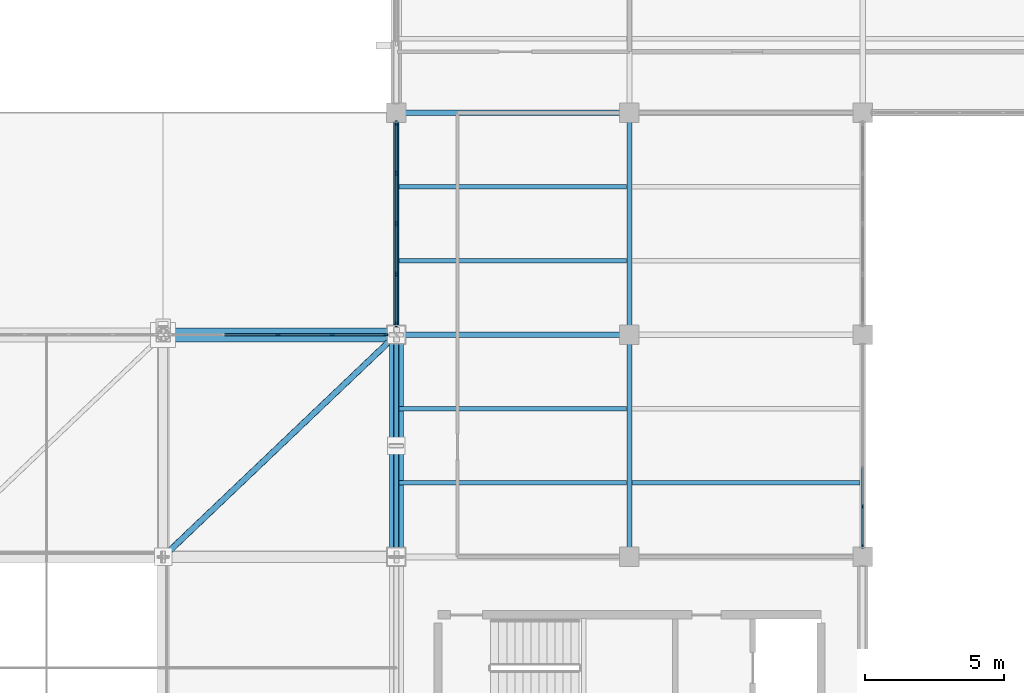
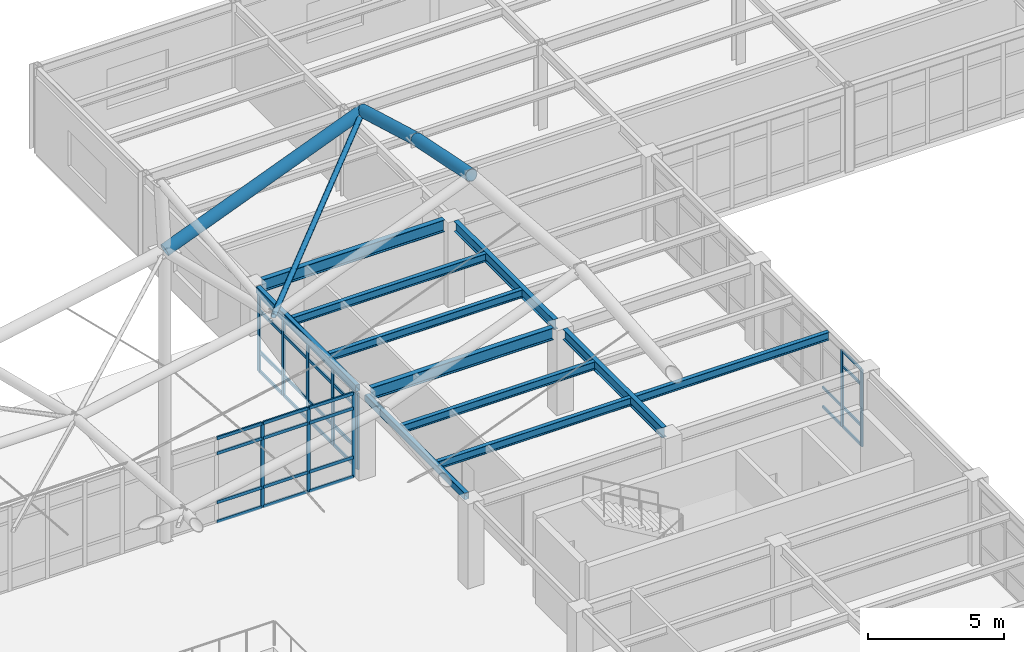
# One storey, part 47 of 138: 45 members, 14 beams, 3 elements without a shape of their own.
"""IFC4 building model written with IfcOpenShell, lengths in metres."""

from ifc_helpers import new_model, si_unit, direction, frame, origin, origin_2d, place, context, subcontext, project, spatial, rectangle, hollow_rectangle, hollow_circle, i_section, extrude, material, layer, layer_set, material_profile, profile_set, type_object, element, aggregate, save


model = new_model("IFC4")

# Units and contexts
model_context = context("Model", 3, precision=1e-05, world=origin(), true_north=direction((0.0, 1.0)))
body_context = subcontext(model_context, "Body", "Model", "MODEL_VIEW")
ifc_project = project(units=[si_unit("LENGTHUNIT", "METRE"), si_unit("AREAUNIT", "SQUARE_METRE"), si_unit("VOLUMEUNIT", "CUBIC_METRE"), si_unit("PLANEANGLEUNIT", "RADIAN"), si_unit("MASSUNIT", "GRAM", prefix="KILO")], contexts=[model_context])

# Site, building, storey
site_placement = place(None, origin())
site = spatial("IfcSite", under=ifc_project, at=site_placement, CompositionType="ELEMENT")
building_placement = place(site_placement, origin())
building = spatial("IfcBuilding", under=site, at=building_placement, Name="Kranzveld Transit Interchange", CompositionType="ELEMENT")
storey_placement = place(building_placement, frame((0.0, 0.0, 5.43994140625)))
storey = spatial("IfcBuildingStorey", under=building, at=storey_placement, Name="L01", CompositionType="ELEMENT", Elevation=5.43994140625)

# Beams
ifc_material_1 = material(Name="Steel S355JR", Category="steel")
ifc_material_profile_1 = material_profile(ifc_material_1, i_section(OverallWidth=0.19189453125, OverallDepth=0.46337890625, WebThickness=0.010498046875, FlangeThickness=0.017578125, FilletRadius=0.01025390625, at=origin_2d()), Name="UB 457x191x89")
ifc_profile_set_1 = profile_set([ifc_material_profile_1], Name="Steel S355JR")
beam_type_1 = type_object("IfcBeamType", Name="Beam Steel UB 457x191x89 S355JR", PredefinedType="BEAM", material=ifc_profile_set_1)
for number, where, z_axis, x_axis, name in (
    (1, (109.199951171875, 80.340087890625, 3.568359375), (0.0, 1.0, 0.0), (-1.0, 0.0, 0.0), "L01 Girder 14/L-M"),
    (2, (109.199951171875, 88.340087890625, 3.568359375), (0.0, 1.0, 0.0), (-1.0, 0.0, 0.0), "L01 Girder 14/M-N"),
):
    element("IfcBeam", number, at=place(storey_placement, frame(where, z_axis=z_axis, x_axis=x_axis)), inside=storey, type_object=beam_type_1, Name=name, PredefinedType="BEAM", context=body_context, shape_type="SweptSolid", body=[
        extrude(i_section(OverallWidth=0.19189453125, OverallDepth=0.46337890625, WebThickness=0.010498046875, FlangeThickness=0.017578125, FilletRadius=0.01025390625, at=origin_2d()), origin(), (0.0, 0.0, 1.0), 7.31982421875),
    ])

# Curtain wall, members
ifc_material_2 = material(Name="Bronze-anodised thermally broken aluminium", Category="aluminium")
ifc_layer_1 = layer(ifc_material_2, 0.159912109375)
ifc_layer_set_1 = layer_set([ifc_layer_1], Name="Bronze-anodised thermally broken aluminium")
curtain_wall_type_1 = type_object("IfcCurtainWallType", Name="Bus Boarding Glazed Screen CW-3", PredefinedType="USERDEFINED", material=ifc_layer_set_1)
curtain_wall_1_placement = place(storey_placement, origin())
curtain_wall_1 = element("IfcCurtainWall", 3, at=curtain_wall_1_placement, inside=storey, type_object=curtain_wall_type_1, Name="L01 Curtain Wall 12/M-13/M", ObjectType="CURTAIN WALL", PredefinedType="USERDEFINED")
ifc_material_3 = material(Name="Bronze-anodised thermally broken aluminium", Category="aluminium")
ifc_material_profile_2 = material_profile(ifc_material_3, rectangle(XDim=0.06005859375, YDim=0.14990234375, at=origin_2d()), Name="ALU MULLION 60x150")
ifc_profile_set_2 = profile_set([ifc_material_profile_2], Name="Bronze-anodised thermally broken aluminium")
member_type_1 = type_object("IfcMemberType", Name="Curtain Wall Mullion 60x150 Alu", PredefinedType="MULLION", material=ifc_profile_set_2)
member_1_placement = place(storey_placement, frame((96.539306640625, 88.0, 0.0), z_axis=(0.0, 0.0, 1.0), x_axis=(0.0, 1.0, 0.0)))
member_1 = element("IfcMember", 4, at=member_1_placement, type_object=member_type_1, Name="CW-3 mullion 3", PredefinedType="MULLION", context=body_context, shape_type="SweptSolid", body=[
    extrude(rectangle(XDim=0.06005859375, YDim=0.14990234375, at=origin_2d()), origin(), (0.0, 0.0, 1.0), 3.800048828125),
])
member_2_placement = place(storey_placement, frame((98.49462890625, 88.0, 0.0), z_axis=(0.0, 0.0, 1.0), x_axis=(0.0, 1.0, 0.0)))
member_2 = element("IfcMember", 5, at=member_2_placement, type_object=member_type_1, Name="CW-3 mullion 4", PredefinedType="MULLION", context=body_context, shape_type="SweptSolid", body=[
    extrude(rectangle(XDim=0.06005859375, YDim=0.14990234375, at=origin_2d()), origin(), (0.0, 0.0, 1.0), 3.800048828125),
])
member_3_placement = place(storey_placement, frame((100.419921875, 88.0, 0.0), z_axis=(0.0, 0.0, 1.0), x_axis=(0.0, 1.0, 0.0)))
member_3 = element("IfcMember", 6, at=member_3_placement, type_object=member_type_1, Name="CW-3 mullion 5", PredefinedType="MULLION", context=body_context, shape_type="SweptSolid", body=[
    extrude(rectangle(XDim=0.06005859375, YDim=0.14990234375, at=origin_2d()), origin(), (0.0, 0.0, 1.0), 3.800048828125),
])

ifc_material_4 = material(Name="Bronze-anodised thermally broken aluminium", Category="aluminium")
ifc_layer_2 = layer(ifc_material_4, 0.14990234375)
ifc_layer_set_2 = layer_set([ifc_layer_2], Name="Bronze-anodised thermally broken aluminium")
curtain_wall_type_2 = type_object("IfcCurtainWallType", Name="Public Passage Clerestory Screen CW-4", PredefinedType="USERDEFINED", material=ifc_layer_set_2)
curtain_wall_2_placement = place(storey_placement, origin())
curtain_wall_2 = element("IfcCurtainWall", 7, at=curtain_wall_2_placement, inside=storey, type_object=curtain_wall_type_2, Name="L01 Curtain Wall 15/L-15/M", ObjectType="CURTAIN WALL", PredefinedType="USERDEFINED")
member_4_placement = place(storey_placement, frame((117.60009765625, 80.3798828125, 0.0), z_axis=(0.0, 0.0, 1.0), x_axis=(-1.0, 0.0, 0.0)))
member_4 = element("IfcMember", 8, at=member_4_placement, type_object=member_type_1, Name="CW-4 mullion 1", PredefinedType="MULLION", context=body_context, shape_type="SweptSolid", body=[
    extrude(rectangle(XDim=0.06005859375, YDim=0.14990234375, at=origin_2d()), origin(), (0.0, 0.0, 1.0), 3.442138671875),
])
member_5_placement = place(storey_placement, frame((117.60009765625, 81.81005859375, 0.0), z_axis=(0.0, 0.0, 1.0), x_axis=(-1.0, 0.0, 0.0)))
member_5 = element("IfcMember", 9, at=member_5_placement, type_object=member_type_1, Name="CW-4 mullion 2", PredefinedType="MULLION", context=body_context, shape_type="SweptSolid", body=[
    extrude(rectangle(XDim=0.06005859375, YDim=0.14990234375, at=origin_2d()), origin(), (0.0, 0.0, 1.0), 3.442138671875),
])

ifc_material_5 = material(Name="Bronze-anodised thermally broken aluminium", Category="aluminium")
ifc_layer_3 = layer(ifc_material_5, 0.179931640625)
ifc_layer_set_3 = layer_set([ifc_layer_3], Name="Bronze-anodised thermally broken aluminium")
curtain_wall_type_3 = type_object("IfcCurtainWallType", Name="Concourse Unitised Curtain Wall CW-1", PredefinedType="USERDEFINED", material=ifc_layer_set_3)
curtain_wall_3_placement = place(storey_placement, origin())
curtain_wall_3 = element("IfcCurtainWall", 10, at=curtain_wall_3_placement, inside=storey, type_object=curtain_wall_type_3, Name="L01 Curtain Wall 13/M-13/N", ObjectType="CURTAIN WALL", PredefinedType="USERDEFINED")
ifc_material_6 = material(Name="Bronze-anodised thermally broken aluminium", Category="aluminium")
ifc_material_profile_3 = material_profile(ifc_material_6, rectangle(XDim=0.06494140625, YDim=0.179931640625, at=origin_2d()), Name="ALU MULLION 65x180")
ifc_profile_set_3 = profile_set([ifc_material_profile_3], Name="Bronze-anodised thermally broken aluminium")
member_type_2 = type_object("IfcMemberType", Name="Curtain Wall Mullion 65x180 Alu", PredefinedType="MULLION", material=ifc_profile_set_3)
member_6_placement = place(storey_placement, frame((100.800048828125, 88.382568359375, 0.0), z_axis=(0.0, 0.0, 1.0), x_axis=(-1.0, 0.0, 0.0)))
member_6 = element("IfcMember", 11, at=member_6_placement, type_object=member_type_2, Name="CW-1 mullion 1", PredefinedType="MULLION", context=body_context, shape_type="SweptSolid", body=[
    extrude(rectangle(XDim=0.06494140625, YDim=0.179931640625, at=origin_2d()), origin(), (0.0, 0.0, 1.0), 3.442138671875),
])
member_7_placement = place(storey_placement, frame((100.800048828125, 90.175048828125, 0.0), z_axis=(0.0, 0.0, 1.0), x_axis=(-1.0, 0.0, 0.0)))
member_7 = element("IfcMember", 12, at=member_7_placement, type_object=member_type_2, Name="CW-1 mullion 2", PredefinedType="MULLION", context=body_context, shape_type="SweptSolid", body=[
    extrude(rectangle(XDim=0.06494140625, YDim=0.179931640625, at=origin_2d()), origin(), (0.0, 0.0, 1.0), 3.442138671875),
])
member_8_placement = place(storey_placement, frame((100.800048828125, 92.0, 0.0), z_axis=(0.0, 0.0, 1.0), x_axis=(-1.0, 0.0, 0.0)))
member_8 = element("IfcMember", 13, at=member_8_placement, type_object=member_type_2, Name="CW-1 mullion 3", PredefinedType="MULLION", context=body_context, shape_type="SweptSolid", body=[
    extrude(rectangle(XDim=0.06494140625, YDim=0.179931640625, at=origin_2d()), origin(), (0.0, 0.0, 1.0), 3.442138671875),
])
member_9_placement = place(storey_placement, frame((100.800048828125, 93.824951171875, 0.0), z_axis=(0.0, 0.0, 1.0), x_axis=(-1.0, 0.0, 0.0)))
member_9 = element("IfcMember", 14, at=member_9_placement, type_object=member_type_2, Name="CW-1 mullion 4", PredefinedType="MULLION", context=body_context, shape_type="SweptSolid", body=[
    extrude(rectangle(XDim=0.06494140625, YDim=0.179931640625, at=origin_2d()), origin(), (0.0, 0.0, 1.0), 3.442138671875),
])
member_10_placement = place(storey_placement, frame((100.800048828125, 95.617431640625, 0.0), z_axis=(0.0, 0.0, 1.0), x_axis=(-1.0, 0.0, 0.0)))
member_10 = element("IfcMember", 15, at=member_10_placement, type_object=member_type_2, Name="CW-1 mullion 5", PredefinedType="MULLION", context=body_context, shape_type="SweptSolid", body=[
    extrude(rectangle(XDim=0.06494140625, YDim=0.179931640625, at=origin_2d()), origin(), (0.0, 0.0, 1.0), 3.442138671875),
])

# Member
ifc_material_7 = material(Name="Bronze-anodised thermally broken aluminium", Category="aluminium")
ifc_material_profile_4 = material_profile(ifc_material_7, rectangle(XDim=0.06005859375, YDim=0.110107421875, at=origin_2d()), Name="ALU TRANSOM 60x110")
ifc_profile_set_4 = profile_set([ifc_material_profile_4], Name="Bronze-anodised thermally broken aluminium")
member_type_3 = type_object("IfcMemberType", Name="Curtain Wall Transom 60x110 Alu", PredefinedType="USERDEFINED", material=ifc_profile_set_4)
member_11_placement = place(storey_placement, frame((117.60009765625, 80.409912109375, 0.030029296875), z_axis=(0.0, 1.0, 0.0), x_axis=(-1.0, 0.0, 0.0)))
member_11 = element("IfcMember", 16, at=member_11_placement, type_object=member_type_3, Name="CW-4 transom 1.1", ObjectType="TRANSOM", PredefinedType="USERDEFINED", context=body_context, shape_type="SweptSolid", body=[
    extrude(rectangle(XDim=0.06005859375, YDim=0.110107421875, at=origin_2d()), origin(), (0.0, 0.0, 1.0), 1.3701171875),
])

member_12_placement = place(storey_placement, frame((117.60009765625, 80.409912109375, 0.900146484375), z_axis=(0.0, 1.0, 0.0), x_axis=(-1.0, 0.0, 0.0)))
member_12 = element("IfcMember", 17, at=member_12_placement, type_object=member_type_3, Name="CW-4 transom 1.2", ObjectType="TRANSOM", PredefinedType="USERDEFINED", context=body_context, shape_type="SweptSolid", body=[
    extrude(rectangle(XDim=0.06005859375, YDim=0.110107421875, at=origin_2d()), origin(), (0.0, 0.0, 1.0), 1.3701171875),
])

member_13_placement = place(storey_placement, frame((117.60009765625, 80.409912109375, 2.741943359375), z_axis=(0.0, 1.0, 0.0), x_axis=(-1.0, 0.0, 0.0)))
member_13 = element("IfcMember", 18, at=member_13_placement, type_object=member_type_3, Name="CW-4 transom 1.3", ObjectType="TRANSOM", PredefinedType="USERDEFINED", context=body_context, shape_type="SweptSolid", body=[
    extrude(rectangle(XDim=0.06005859375, YDim=0.110107421875, at=origin_2d()), origin(), (0.0, 0.0, 1.0), 1.3701171875),
])

member_14_placement = place(storey_placement, frame((117.60009765625, 80.409912109375, 3.412109375), z_axis=(0.0, 1.0, 0.0), x_axis=(-1.0, 0.0, 0.0)))
member_14 = element("IfcMember", 19, at=member_14_placement, type_object=member_type_3, Name="CW-4 transom 1.4", ObjectType="TRANSOM", PredefinedType="USERDEFINED", context=body_context, shape_type="SweptSolid", body=[
    extrude(rectangle(XDim=0.06005859375, YDim=0.110107421875, at=origin_2d()), origin(), (0.0, 0.0, 1.0), 1.3701171875),
])

member_15_placement = place(storey_placement, frame((117.60009765625, 81.840087890625, 0.030029296875), z_axis=(0.0, 1.0, 0.0), x_axis=(-1.0, 0.0, 0.0)))
member_15 = element("IfcMember", 20, at=member_15_placement, type_object=member_type_3, Name="CW-4 transom 2.1", ObjectType="TRANSOM", PredefinedType="USERDEFINED", context=body_context, shape_type="SweptSolid", body=[
    extrude(rectangle(XDim=0.06005859375, YDim=0.110107421875, at=origin_2d()), origin(), (0.0, 0.0, 1.0), 1.39990234375),
])

member_16_placement = place(storey_placement, frame((117.60009765625, 81.840087890625, 0.900146484375), z_axis=(0.0, 1.0, 0.0), x_axis=(-1.0, 0.0, 0.0)))
member_16 = element("IfcMember", 21, at=member_16_placement, type_object=member_type_3, Name="CW-4 transom 2.2", ObjectType="TRANSOM", PredefinedType="USERDEFINED", context=body_context, shape_type="SweptSolid", body=[
    extrude(rectangle(XDim=0.06005859375, YDim=0.110107421875, at=origin_2d()), origin(), (0.0, 0.0, 1.0), 1.39990234375),
])

aggregate(curtain_wall_2, [member_4, member_5, member_11, member_12, member_13, member_14, member_15, member_16])

ifc_material_8 = material(Name="Bronze-anodised thermally broken aluminium", Category="aluminium")
ifc_material_profile_5 = material_profile(ifc_material_8, rectangle(XDim=0.06494140625, YDim=0.139892578125, at=origin_2d()), Name="ALU TRANSOM 65x140")
ifc_profile_set_5 = profile_set([ifc_material_profile_5], Name="Bronze-anodised thermally broken aluminium")
member_type_4 = type_object("IfcMemberType", Name="Curtain Wall Transom 65x140 Alu", PredefinedType="USERDEFINED", material=ifc_profile_set_5)
member_17_placement = place(storey_placement, frame((94.61376953125, 88.0, 0.032470703125), z_axis=(1.0, 0.0, 0.0), x_axis=(0.0, 1.0, 0.0)))
member_17 = element("IfcMember", 22, at=member_17_placement, type_object=member_type_4, Name="CW-3 transom 2.1", ObjectType="TRANSOM", PredefinedType="USERDEFINED", context=body_context, shape_type="SweptSolid", body=[
    extrude(rectangle(XDim=0.06494140625, YDim=0.139892578125, at=origin_2d()), origin(), (0.0, 0.0, 1.0), 1.8955078125),
])

member_18_placement = place(storey_placement, frame((94.61376953125, 88.0, 0.900146484375), z_axis=(1.0, 0.0, 0.0), x_axis=(0.0, 1.0, 0.0)))
member_18 = element("IfcMember", 23, at=member_18_placement, type_object=member_type_4, Name="CW-3 transom 2.2", ObjectType="TRANSOM", PredefinedType="USERDEFINED", context=body_context, shape_type="SweptSolid", body=[
    extrude(rectangle(XDim=0.06494140625, YDim=0.139892578125, at=origin_2d()), origin(), (0.0, 0.0, 1.0), 1.8955078125),
])

member_19_placement = place(storey_placement, frame((94.61376953125, 88.0, 3.10009765625), z_axis=(1.0, 0.0, 0.0), x_axis=(0.0, 1.0, 0.0)))
member_19 = element("IfcMember", 24, at=member_19_placement, type_object=member_type_4, Name="CW-3 transom 2.3", ObjectType="TRANSOM", PredefinedType="USERDEFINED", context=body_context, shape_type="SweptSolid", body=[
    extrude(rectangle(XDim=0.06494140625, YDim=0.139892578125, at=origin_2d()), origin(), (0.0, 0.0, 1.0), 1.8955078125),
])

member_20_placement = place(storey_placement, frame((94.61376953125, 88.0, 3.767578125), z_axis=(1.0, 0.0, 0.0), x_axis=(0.0, 1.0, 0.0)))
member_20 = element("IfcMember", 25, at=member_20_placement, type_object=member_type_4, Name="CW-3 transom 2.4", ObjectType="TRANSOM", PredefinedType="USERDEFINED", context=body_context, shape_type="SweptSolid", body=[
    extrude(rectangle(XDim=0.06494140625, YDim=0.139892578125, at=origin_2d()), origin(), (0.0, 0.0, 1.0), 1.8955078125),
])

member_21_placement = place(storey_placement, frame((96.5693359375, 88.0, 0.032470703125), z_axis=(1.0, 0.0, 0.0), x_axis=(0.0, 1.0, 0.0)))
member_21 = element("IfcMember", 26, at=member_21_placement, type_object=member_type_4, Name="CW-3 transom 3.1", ObjectType="TRANSOM", PredefinedType="USERDEFINED", context=body_context, shape_type="SweptSolid", body=[
    extrude(rectangle(XDim=0.06494140625, YDim=0.139892578125, at=origin_2d()), origin(), (0.0, 0.0, 1.0), 1.895263671875),
])

member_22_placement = place(storey_placement, frame((96.5693359375, 88.0, 0.900146484375), z_axis=(1.0, 0.0, 0.0), x_axis=(0.0, 1.0, 0.0)))
member_22 = element("IfcMember", 27, at=member_22_placement, type_object=member_type_4, Name="CW-3 transom 3.2", ObjectType="TRANSOM", PredefinedType="USERDEFINED", context=body_context, shape_type="SweptSolid", body=[
    extrude(rectangle(XDim=0.06494140625, YDim=0.139892578125, at=origin_2d()), origin(), (0.0, 0.0, 1.0), 1.895263671875),
])

member_23_placement = place(storey_placement, frame((96.5693359375, 88.0, 3.10009765625), z_axis=(1.0, 0.0, 0.0), x_axis=(0.0, 1.0, 0.0)))
member_23 = element("IfcMember", 28, at=member_23_placement, type_object=member_type_4, Name="CW-3 transom 3.3", ObjectType="TRANSOM", PredefinedType="USERDEFINED", context=body_context, shape_type="SweptSolid", body=[
    extrude(rectangle(XDim=0.06494140625, YDim=0.139892578125, at=origin_2d()), origin(), (0.0, 0.0, 1.0), 1.895263671875),
])

member_24_placement = place(storey_placement, frame((96.5693359375, 88.0, 3.767578125), z_axis=(1.0, 0.0, 0.0), x_axis=(0.0, 1.0, 0.0)))
member_24 = element("IfcMember", 29, at=member_24_placement, type_object=member_type_4, Name="CW-3 transom 3.4", ObjectType="TRANSOM", PredefinedType="USERDEFINED", context=body_context, shape_type="SweptSolid", body=[
    extrude(rectangle(XDim=0.06494140625, YDim=0.139892578125, at=origin_2d()), origin(), (0.0, 0.0, 1.0), 1.895263671875),
])

member_25_placement = place(storey_placement, frame((98.524658203125, 88.0, 0.032470703125), z_axis=(1.0, 0.0, 0.0), x_axis=(0.0, 1.0, 0.0)))
member_25 = element("IfcMember", 30, at=member_25_placement, type_object=member_type_4, Name="CW-3 transom 4.1", ObjectType="TRANSOM", PredefinedType="USERDEFINED", context=body_context, shape_type="SweptSolid", body=[
    extrude(rectangle(XDim=0.06494140625, YDim=0.139892578125, at=origin_2d()), origin(), (0.0, 0.0, 1.0), 1.865234375),
])

member_26_placement = place(storey_placement, frame((98.524658203125, 88.0, 0.900146484375), z_axis=(1.0, 0.0, 0.0), x_axis=(0.0, 1.0, 0.0)))
member_26 = element("IfcMember", 31, at=member_26_placement, type_object=member_type_4, Name="CW-3 transom 4.2", ObjectType="TRANSOM", PredefinedType="USERDEFINED", context=body_context, shape_type="SweptSolid", body=[
    extrude(rectangle(XDim=0.06494140625, YDim=0.139892578125, at=origin_2d()), origin(), (0.0, 0.0, 1.0), 1.865234375),
])

member_27_placement = place(storey_placement, frame((98.524658203125, 88.0, 3.10009765625), z_axis=(1.0, 0.0, 0.0), x_axis=(0.0, 1.0, 0.0)))
member_27 = element("IfcMember", 32, at=member_27_placement, type_object=member_type_4, Name="CW-3 transom 4.3", ObjectType="TRANSOM", PredefinedType="USERDEFINED", context=body_context, shape_type="SweptSolid", body=[
    extrude(rectangle(XDim=0.06494140625, YDim=0.139892578125, at=origin_2d()), origin(), (0.0, 0.0, 1.0), 1.865234375),
])

member_28_placement = place(storey_placement, frame((98.524658203125, 88.0, 3.767578125), z_axis=(1.0, 0.0, 0.0), x_axis=(0.0, 1.0, 0.0)))
member_28 = element("IfcMember", 33, at=member_28_placement, type_object=member_type_4, Name="CW-3 transom 4.4", ObjectType="TRANSOM", PredefinedType="USERDEFINED", context=body_context, shape_type="SweptSolid", body=[
    extrude(rectangle(XDim=0.06494140625, YDim=0.139892578125, at=origin_2d()), origin(), (0.0, 0.0, 1.0), 1.865234375),
])

aggregate(curtain_wall_1, [member_1, member_2, member_3, member_17, member_18, member_19, member_20, member_21, member_22, member_23, member_24, member_25, member_26, member_27, member_28])

member_29_placement = place(storey_placement, frame((100.800048828125, 88.4150390625, 0.032470703125), z_axis=(0.0, 1.0, 0.0), x_axis=(-1.0, 0.0, 0.0)))
member_29 = element("IfcMember", 34, at=member_29_placement, type_object=member_type_4, Name="CW-1 transom 1.1", ObjectType="TRANSOM", PredefinedType="USERDEFINED", context=body_context, shape_type="SweptSolid", body=[
    extrude(rectangle(XDim=0.06494140625, YDim=0.139892578125, at=origin_2d()), origin(), (0.0, 0.0, 1.0), 1.7275390625),
])

member_30_placement = place(storey_placement, frame((100.800048828125, 88.4150390625, 0.900146484375), z_axis=(0.0, 1.0, 0.0), x_axis=(-1.0, 0.0, 0.0)))
member_30 = element("IfcMember", 35, at=member_30_placement, type_object=member_type_4, Name="CW-1 transom 1.2", ObjectType="TRANSOM", PredefinedType="USERDEFINED", context=body_context, shape_type="SweptSolid", body=[
    extrude(rectangle(XDim=0.06494140625, YDim=0.139892578125, at=origin_2d()), origin(), (0.0, 0.0, 1.0), 1.7275390625),
])

member_31_placement = place(storey_placement, frame((100.800048828125, 88.4150390625, 2.741943359375), z_axis=(0.0, 1.0, 0.0), x_axis=(-1.0, 0.0, 0.0)))
member_31 = element("IfcMember", 36, at=member_31_placement, type_object=member_type_4, Name="CW-1 transom 1.3", ObjectType="TRANSOM", PredefinedType="USERDEFINED", context=body_context, shape_type="SweptSolid", body=[
    extrude(rectangle(XDim=0.06494140625, YDim=0.139892578125, at=origin_2d()), origin(), (0.0, 0.0, 1.0), 1.7275390625),
])

member_32_placement = place(storey_placement, frame((100.800048828125, 88.4150390625, 3.40966796875), z_axis=(0.0, 1.0, 0.0), x_axis=(-1.0, 0.0, 0.0)))
member_32 = element("IfcMember", 37, at=member_32_placement, type_object=member_type_4, Name="CW-1 transom 1.4", ObjectType="TRANSOM", PredefinedType="USERDEFINED", context=body_context, shape_type="SweptSolid", body=[
    extrude(rectangle(XDim=0.06494140625, YDim=0.139892578125, at=origin_2d()), origin(), (0.0, 0.0, 1.0), 1.7275390625),
])

member_33_placement = place(storey_placement, frame((100.800048828125, 90.20751953125, 0.032470703125), z_axis=(0.0, 1.0, 0.0), x_axis=(-1.0, 0.0, 0.0)))
member_33 = element("IfcMember", 38, at=member_33_placement, type_object=member_type_4, Name="CW-1 transom 2.1", ObjectType="TRANSOM", PredefinedType="USERDEFINED", context=body_context, shape_type="SweptSolid", body=[
    extrude(rectangle(XDim=0.06494140625, YDim=0.139892578125, at=origin_2d()), origin(), (0.0, 0.0, 1.0), 1.760009765625),
])

member_34_placement = place(storey_placement, frame((100.800048828125, 90.20751953125, 0.900146484375), z_axis=(0.0, 1.0, 0.0), x_axis=(-1.0, 0.0, 0.0)))
member_34 = element("IfcMember", 39, at=member_34_placement, type_object=member_type_4, Name="CW-1 transom 2.2", ObjectType="TRANSOM", PredefinedType="USERDEFINED", context=body_context, shape_type="SweptSolid", body=[
    extrude(rectangle(XDim=0.06494140625, YDim=0.139892578125, at=origin_2d()), origin(), (0.0, 0.0, 1.0), 1.760009765625),
])

member_35_placement = place(storey_placement, frame((100.800048828125, 90.20751953125, 2.741943359375), z_axis=(0.0, 1.0, 0.0), x_axis=(-1.0, 0.0, 0.0)))
member_35 = element("IfcMember", 40, at=member_35_placement, type_object=member_type_4, Name="CW-1 transom 2.3", ObjectType="TRANSOM", PredefinedType="USERDEFINED", context=body_context, shape_type="SweptSolid", body=[
    extrude(rectangle(XDim=0.06494140625, YDim=0.139892578125, at=origin_2d()), origin(), (0.0, 0.0, 1.0), 1.760009765625),
])

member_36_placement = place(storey_placement, frame((100.800048828125, 90.20751953125, 3.40966796875), z_axis=(0.0, 1.0, 0.0), x_axis=(-1.0, 0.0, 0.0)))
member_36 = element("IfcMember", 41, at=member_36_placement, type_object=member_type_4, Name="CW-1 transom 2.4", ObjectType="TRANSOM", PredefinedType="USERDEFINED", context=body_context, shape_type="SweptSolid", body=[
    extrude(rectangle(XDim=0.06494140625, YDim=0.139892578125, at=origin_2d()), origin(), (0.0, 0.0, 1.0), 1.760009765625),
])

member_37_placement = place(storey_placement, frame((100.800048828125, 92.032470703125, 0.032470703125), z_axis=(0.0, 1.0, 0.0), x_axis=(-1.0, 0.0, 0.0)))
member_37 = element("IfcMember", 42, at=member_37_placement, type_object=member_type_4, Name="CW-1 transom 3.1", ObjectType="TRANSOM", PredefinedType="USERDEFINED", context=body_context, shape_type="SweptSolid", body=[
    extrude(rectangle(XDim=0.06494140625, YDim=0.139892578125, at=origin_2d()), origin(), (0.0, 0.0, 1.0), 1.760009765625),
])

member_38_placement = place(storey_placement, frame((100.800048828125, 92.032470703125, 0.900146484375), z_axis=(0.0, 1.0, 0.0), x_axis=(-1.0, 0.0, 0.0)))
member_38 = element("IfcMember", 43, at=member_38_placement, type_object=member_type_4, Name="CW-1 transom 3.2", ObjectType="TRANSOM", PredefinedType="USERDEFINED", context=body_context, shape_type="SweptSolid", body=[
    extrude(rectangle(XDim=0.06494140625, YDim=0.139892578125, at=origin_2d()), origin(), (0.0, 0.0, 1.0), 1.760009765625),
])

member_39_placement = place(storey_placement, frame((100.800048828125, 92.032470703125, 2.741943359375), z_axis=(0.0, 1.0, 0.0), x_axis=(-1.0, 0.0, 0.0)))
member_39 = element("IfcMember", 44, at=member_39_placement, type_object=member_type_4, Name="CW-1 transom 3.3", ObjectType="TRANSOM", PredefinedType="USERDEFINED", context=body_context, shape_type="SweptSolid", body=[
    extrude(rectangle(XDim=0.06494140625, YDim=0.139892578125, at=origin_2d()), origin(), (0.0, 0.0, 1.0), 1.760009765625),
])

member_40_placement = place(storey_placement, frame((100.800048828125, 92.032470703125, 3.40966796875), z_axis=(0.0, 1.0, 0.0), x_axis=(-1.0, 0.0, 0.0)))
member_40 = element("IfcMember", 45, at=member_40_placement, type_object=member_type_4, Name="CW-1 transom 3.4", ObjectType="TRANSOM", PredefinedType="USERDEFINED", context=body_context, shape_type="SweptSolid", body=[
    extrude(rectangle(XDim=0.06494140625, YDim=0.139892578125, at=origin_2d()), origin(), (0.0, 0.0, 1.0), 1.760009765625),
])

member_41_placement = place(storey_placement, frame((100.800048828125, 93.857421875, 0.032470703125), z_axis=(0.0, 1.0, 0.0), x_axis=(-1.0, 0.0, 0.0)))
member_41 = element("IfcMember", 46, at=member_41_placement, type_object=member_type_4, Name="CW-1 transom 4.1", ObjectType="TRANSOM", PredefinedType="USERDEFINED", context=body_context, shape_type="SweptSolid", body=[
    extrude(rectangle(XDim=0.06494140625, YDim=0.139892578125, at=origin_2d()), origin(), (0.0, 0.0, 1.0), 1.7275390625),
])

member_42_placement = place(storey_placement, frame((100.800048828125, 93.857421875, 0.900146484375), z_axis=(0.0, 1.0, 0.0), x_axis=(-1.0, 0.0, 0.0)))
member_42 = element("IfcMember", 47, at=member_42_placement, type_object=member_type_4, Name="CW-1 transom 4.2", ObjectType="TRANSOM", PredefinedType="USERDEFINED", context=body_context, shape_type="SweptSolid", body=[
    extrude(rectangle(XDim=0.06494140625, YDim=0.139892578125, at=origin_2d()), origin(), (0.0, 0.0, 1.0), 1.7275390625),
])

member_43_placement = place(storey_placement, frame((100.800048828125, 93.857421875, 2.741943359375), z_axis=(0.0, 1.0, 0.0), x_axis=(-1.0, 0.0, 0.0)))
member_43 = element("IfcMember", 48, at=member_43_placement, type_object=member_type_4, Name="CW-1 transom 4.3", ObjectType="TRANSOM", PredefinedType="USERDEFINED", context=body_context, shape_type="SweptSolid", body=[
    extrude(rectangle(XDim=0.06494140625, YDim=0.139892578125, at=origin_2d()), origin(), (0.0, 0.0, 1.0), 1.7275390625),
])

member_44_placement = place(storey_placement, frame((100.800048828125, 93.857421875, 3.40966796875), z_axis=(0.0, 1.0, 0.0), x_axis=(-1.0, 0.0, 0.0)))
member_44 = element("IfcMember", 49, at=member_44_placement, type_object=member_type_4, Name="CW-1 transom 4.4", ObjectType="TRANSOM", PredefinedType="USERDEFINED", context=body_context, shape_type="SweptSolid", body=[
    extrude(rectangle(XDim=0.06494140625, YDim=0.139892578125, at=origin_2d()), origin(), (0.0, 0.0, 1.0), 1.7275390625),
])

aggregate(curtain_wall_3, [member_6, member_7, member_8, member_9, member_10, member_29, member_30, member_31, member_32, member_33, member_34, member_35, member_36, member_37, member_38, member_39, member_40, member_41, member_42, member_43, member_44])

# Beams
ifc_material_9 = material(Name="Steel S355JR", Category="steel")
ifc_material_profile_6 = material_profile(ifc_material_9, hollow_rectangle(XDim=0.199951171875, YDim=0.300048828125, WallThickness=0.010009765625, InnerFilletRadius=0.014892578125, OuterFilletRadius=0.02490234375, at=origin_2d()), Name="RHS 300x200x10")
ifc_profile_set_6 = profile_set([ifc_material_profile_6], Name="Steel S355JR")
beam_type_2 = type_object("IfcBeamType", Name="Edge Spandrel RHS 300x200x10 S355JR", PredefinedType="SPANDREL", material=ifc_profile_set_6)
for number, where, z_axis, x_axis, name in (
    (50, (100.800048828125, 80.340087890625, 3.650146484375), (0.0, 1.0, 0.0), (-1.0, 0.0, 0.0), "L01 Girder 13/L-M"),
    (51, (100.800048828125, 88.340087890625, 3.650146484375), (0.0, 1.0, 0.0), (-1.0, 0.0, 0.0), "L01 Girder 13/M-N"),
):
    element("IfcBeam", number, at=place(storey_placement, frame(where, z_axis=z_axis, x_axis=x_axis)), inside=storey, type_object=beam_type_2, Name=name, PredefinedType="SPANDREL", context=body_context, shape_type="SweptSolid", body=[
        extrude(hollow_rectangle(XDim=0.199951171875, YDim=0.300048828125, WallThickness=0.010009765625, InnerFilletRadius=0.014892578125, OuterFilletRadius=0.02490234375, at=origin_2d()), origin(), (0.0, 0.0, 1.0), 7.31982421875),
    ])
ifc_material_10 = material(Name="Steel S355JR", Category="steel")
ifc_material_profile_7 = material_profile(ifc_material_10, i_section(OverallWidth=0.172119140625, OverallDepth=0.35791015625, WebThickness=0.008056640625, FlangeThickness=0.012939453125, FilletRadius=0.01025390625, at=origin_2d()), Name="UB 356x171x57")
ifc_profile_set_7 = profile_set([ifc_material_profile_7], Name="Steel S355JR")
beam_type_3 = type_object("IfcBeamType", Name="Floor Joist UB 356x171x57 S355JR", PredefinedType="JOIST", material=ifc_profile_set_7)
for number, where, z_axis, x_axis, name in (
    (52, (100.902099609375, 82.666748046875, 3.62109375), (1.0, 0.0, 0.0), (0.0, 1.0, 0.0), "L01 Secondary Joist 13-14/L.1"),
    (53, (100.902099609375, 85.333251953125, 3.62109375), (1.0, 0.0, 0.0), (0.0, 1.0, 0.0), "L01 Secondary Joist 13-14/L.2"),
    (54, (100.902099609375, 90.666748046875, 3.62109375), (1.0, 0.0, 0.0), (0.0, 1.0, 0.0), "L01 Secondary Joist 13-14/M.1"),
    (55, (100.902099609375, 93.333251953125, 3.62109375), (1.0, 0.0, 0.0), (0.0, 1.0, 0.0), "L01 Secondary Joist 13-14/M.2"),
):
    element("IfcBeam", number, at=place(storey_placement, frame(where, z_axis=z_axis, x_axis=x_axis)), inside=storey, type_object=beam_type_3, Name=name, PredefinedType="JOIST", context=body_context, shape_type="SweptSolid", body=[
        extrude(i_section(OverallWidth=0.172119140625, OverallDepth=0.35791015625, WebThickness=0.008056640625, FlangeThickness=0.012939453125, FilletRadius=0.01025390625, at=origin_2d()), origin(), (0.0, 0.0, 1.0), 8.199951171875),
    ])
beam_1_placement = place(storey_placement, frame((109.2978515625, 82.666748046875, 3.62109375), z_axis=(1.0, 0.0, 0.0), x_axis=(0.0, 1.0, 0.0)))
element("IfcBeam", 56, at=beam_1_placement, inside=storey, type_object=beam_type_3, Name="L01 Secondary Joist 14-15/L.1", PredefinedType="JOIST", context=body_context, shape_type="SweptSolid", body=[
    extrude(i_section(OverallWidth=0.172119140625, OverallDepth=0.35791015625, WebThickness=0.008056640625, FlangeThickness=0.012939453125, FilletRadius=0.01025390625, at=origin_2d()), origin(), (0.0, 0.0, 1.0), 8.2001953125),
])
ifc_material_11 = material(Name="Steel S355JR", Category="steel")
ifc_material_profile_8 = material_profile(ifc_material_11, i_section(OverallWidth=0.210693359375, OverallDepth=0.53955078125, WebThickness=0.01171875, FlangeThickness=0.018798828125, FilletRadius=0.0126953125, at=origin_2d()), Name="UB 533x210x109")
ifc_profile_set_8 = profile_set([ifc_material_profile_8], Name="Steel S355JR")
beam_type_4 = type_object("IfcBeamType", Name="Girder Steel UB 533x210x109 S355JR", PredefinedType="BEAM", material=ifc_profile_set_8)
for number, where, z_axis, x_axis, name in (
    (57, (101.139892578125, 88.0, 3.5302734375), (1.0, 0.0, 0.0), (0.0, 1.0, 0.0), "L01 Girder 13-14/M"),
    (58, (101.139892578125, 96.0, 3.5302734375), (1.0, 0.0, 0.0), (0.0, 1.0, 0.0), "L01 Girder 13-14/N"),
):
    element("IfcBeam", number, at=place(storey_placement, frame(where, z_axis=z_axis, x_axis=x_axis)), inside=storey, type_object=beam_type_4, Name=name, PredefinedType="BEAM", context=body_context, shape_type="SweptSolid", body=[
        extrude(i_section(OverallWidth=0.210693359375, OverallDepth=0.53955078125, WebThickness=0.01171875, FlangeThickness=0.018798828125, FilletRadius=0.0126953125, at=origin_2d()), origin(), (0.0, 0.0, 1.0), 7.72021484375),
    ])

# Member
ifc_material_12 = material(Name="Steel S355JR", Category="steel")
ifc_material_profile_9 = material_profile(ifc_material_12, hollow_circle(Radius=0.109619140625, WallThickness=0.008056640625, at=origin_2d()), Name="CHS 219.1x8")
ifc_profile_set_9 = profile_set([ifc_material_profile_9], Name="Steel S355JR")
member_type_5 = type_object("IfcMemberType", Name="Lateral Brace CHS 219.1x8 S355JR", PredefinedType="BRACE", material=ifc_profile_set_9)
member_45_placement = place(storey_placement, frame((92.39990234375, 80.0, 14.882080078125), z_axis=(0.719088501315, 0.684834249167, 0.117956680368), x_axis=(-0.689648865971, 0.724143937118, 0.0)))
element("IfcMember", 59, at=member_45_placement, inside=storey, type_object=member_type_5, Name="Saddle Roof Plan Brace 12/L-13/M", PredefinedType="BRACE", context=body_context, shape_type="SweptSolid", body=[
    extrude(hollow_circle(Radius=0.109619140625, WallThickness=0.008056640625, at=origin_2d()), origin(), (0.0, 0.0, 1.0), 11.681640625),
])

# Beams
ifc_material_13 = material(Name="Steel S355JR", Category="steel")
ifc_material_profile_10 = material_profile(ifc_material_13, hollow_circle(Radius=0.25390625, WallThickness=0.02001953125, at=origin_2d()), Name="CHS 508x20")
ifc_profile_set_10 = profile_set([ifc_material_profile_10], Name="Steel S355JR")
beam_type_5 = type_object("IfcBeamType", Name="Ring Beam Steel CHS 508x20 S355JR", PredefinedType="BEAM", material=ifc_profile_set_10)
beam_2_placement = place(storey_placement, frame((100.800048828125, 80.0, 18.260009765625), z_axis=(0.0, 0.979987319582, -0.19905992429), x_axis=(-1.0, 0.0, 0.0)))
element("IfcBeam", 60, at=beam_2_placement, inside=storey, type_object=beam_type_5, Name="Saddle Compression Ring Chord 13L-13Lm", PredefinedType="BEAM", context=body_context, shape_type="SweptSolid", body=[
    extrude(hollow_circle(Radius=0.25390625, WallThickness=0.02001953125, at=origin_2d()), origin(), (0.0, 0.0, 1.0), 4.081787109375),
])
beam_3_placement = place(storey_placement, frame((100.800048828125, 84.0, 17.447509765625), z_axis=(0.0, 0.96186658105, -0.273519067451), x_axis=(-1.0, 0.0, 0.0)))
element("IfcBeam", 61, at=beam_3_placement, inside=storey, type_object=beam_type_5, Name="Saddle Compression Ring Chord 13Lm-13M", PredefinedType="BEAM", context=body_context, shape_type="SweptSolid", body=[
    extrude(hollow_circle(Radius=0.25390625, WallThickness=0.02001953125, at=origin_2d()), origin(), (0.0, 0.0, 1.0), 4.15869140625),
])
beam_4_placement = place(storey_placement, frame((100.800048828125, 88.0, 16.31005859375), z_axis=(-0.929699657216, 0.0, -0.368318540631), x_axis=(0.0, -1.0, 0.0)))
element("IfcBeam", 62, at=beam_4_placement, inside=storey, type_object=beam_type_5, Name="Saddle Compression Ring Chord 13M-12M", PredefinedType="BEAM", context=body_context, shape_type="SweptSolid", body=[
    extrude(hollow_circle(Radius=0.25390625, WallThickness=0.02001953125, at=origin_2d()), origin(), (0.0, 0.0, 1.0), 9.035400390625),
])

save(model, "model.ifc")
